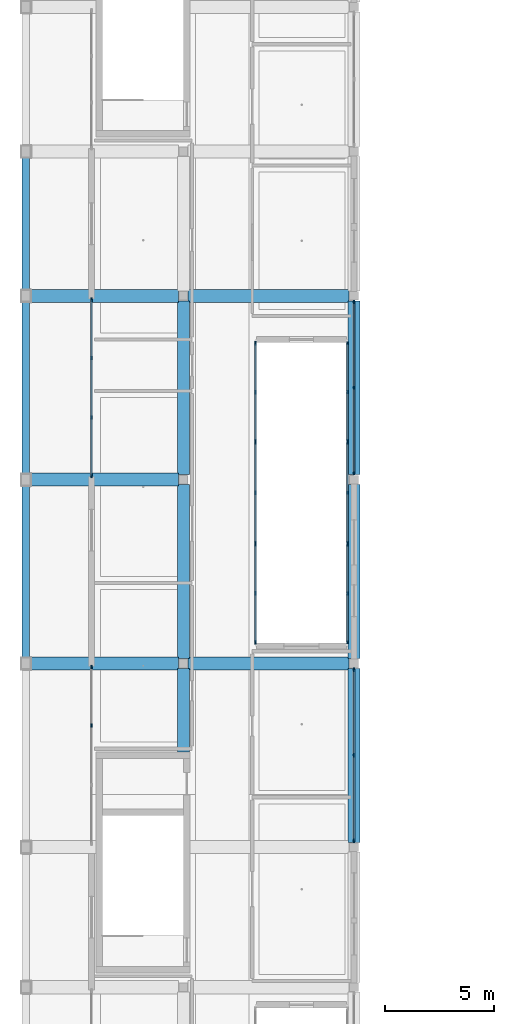
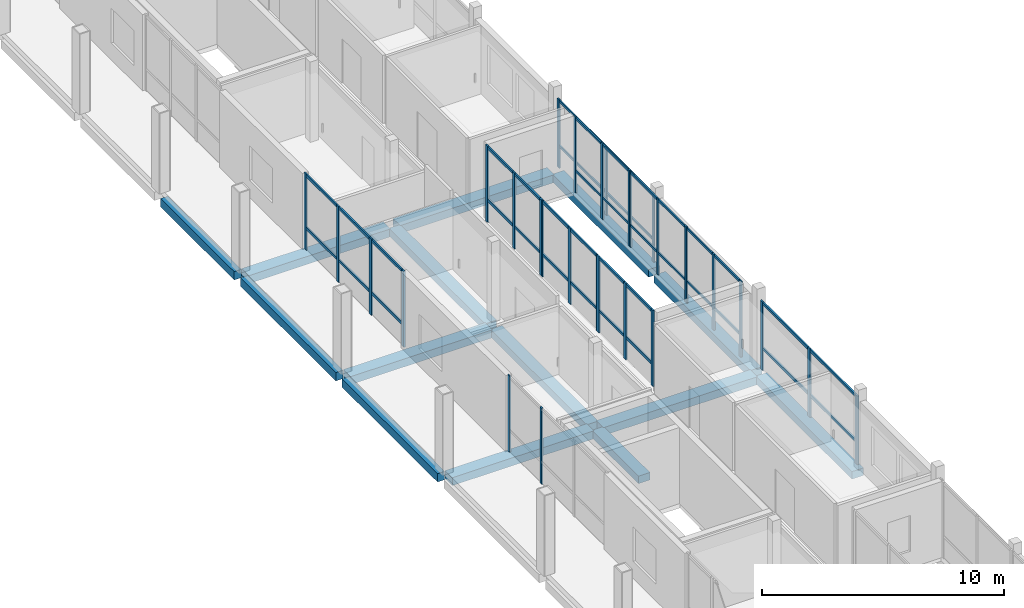
# One storey, part 4 of 24: 48 members, 14 beams, 10 elements without a shape of their own.
"""IFC4 building model written with IfcOpenShell, lengths in metres."""

from ifc_helpers import new_model, si_unit, derived_unit, direction, frame, origin, origin_2d, place, context, subcontext, project, spatial, rectangle, extrude, material, material_profile, profile_set, type_object, element, aggregate, save


model = new_model("IFC4")

# Units and contexts
model_context = context("Model", 3, precision=1e-05, world=origin(), true_north=direction((0.0, 1.0)))
body_context = subcontext(model_context, "Body", "Model", "MODEL_VIEW")
ifc_project = project(units=[si_unit("LENGTHUNIT", "METRE"), si_unit("AREAUNIT", "SQUARE_METRE"), si_unit("VOLUMEUNIT", "CUBIC_METRE"), si_unit("PLANEANGLEUNIT", "RADIAN"), si_unit("MASSUNIT", "GRAM", prefix="KILO"), derived_unit("THERMALTRANSMITTANCEUNIT", [(si_unit("POWERUNIT", "WATT"), 1), (si_unit("LENGTHUNIT", "METRE"), -2), (si_unit("THERMODYNAMICTEMPERATUREUNIT", "KELVIN"), -1)])], contexts=[model_context])

# Site, building, storey
site_placement = place(None, origin())
site = spatial("IfcSite", under=ifc_project, at=site_placement, CompositionType="ELEMENT")
building_placement = place(site_placement, origin())
building = spatial("IfcBuilding", under=site, at=building_placement, Name="Braskholm Square Health Centre", CompositionType="ELEMENT")
storey_placement = place(building_placement, frame((0.0, 0.0, 21.60009765625)))
storey = spatial("IfcBuildingStorey", under=building, at=storey_placement, Name="L06", CompositionType="ELEMENT", Elevation=21.60009765625)

# Curtain wall, members
ifc_material_1 = material(Name="Low-E triple insulating glass (VLT 0.64)", Category="glass")
curtain_wall_type_1 = type_object("IfcCurtainWallType", Name="UnitisedCurtainWall6200x3800", PredefinedType="NOTDEFINED", material=ifc_material_1)
curtain_wall_1_placement = place(storey_placement, origin())
curtain_wall_1 = element("IfcCurtainWall", 1, at=curtain_wall_1_placement, inside=storey, type_object=curtain_wall_type_1, Name="West Crown unitised curtain wall CW-L06-0042", PredefinedType="NOTDEFINED")
ifc_material_2 = material(Name="Architectural bronze anodised aluminium", Category="aluminium")
ifc_material_profile_1 = material_profile(ifc_material_2, rectangle(XDim=0.06494140625, YDim=0.14990234375, at=origin_2d()), Name="ALU-65X150")
ifc_profile_set_1 = profile_set([ifc_material_profile_1], Name="Architectural bronze anodised aluminium")
member_type_1 = type_object("IfcMemberType", Name="CurtainWallMullion65x150", PredefinedType="MULLION", material=ifc_profile_set_1)
member_1_placement = place(storey_placement, frame((7.199951171875, 63.631103515625, 0.0), z_axis=(0.0, 0.0, 1.0), x_axis=(1.0, 0.0, 0.0)))
member_1 = element("IfcMember", 2, at=member_1_placement, type_object=member_type_1, Name="CW-L06-0042 vertical mullion 1", PredefinedType="MULLION", context=body_context, shape_type="SweptSolid", body=[
    extrude(rectangle(XDim=0.06494140625, YDim=0.14990234375, at=origin_2d()), origin(), (0.0, 0.0, 1.0), 3.83984375),
])
member_2_placement = place(storey_placement, frame((7.199951171875, 60.9599609375, 0.0), z_axis=(0.0, 0.0, 1.0), x_axis=(1.0, 0.0, 0.0)))
member_2 = element("IfcMember", 3, at=member_2_placement, type_object=member_type_1, Name="CW-L06-0042 vertical mullion 2", PredefinedType="MULLION", context=body_context, shape_type="SweptSolid", body=[
    extrude(rectangle(XDim=0.06494140625, YDim=0.14990234375, at=origin_2d()), origin(), (0.0, 0.0, 1.0), 3.83984375),
])
aggregate(curtain_wall_1, [member_1, member_2])

curtain_wall_type_2 = type_object("IfcCurtainWallType", Name="UnitisedCurtainWall6200x3650", PredefinedType="NOTDEFINED", material=ifc_material_1)
curtain_wall_2_placement = place(storey_placement, origin())
curtain_wall_2 = element("IfcCurtainWall", 4, at=curtain_wall_2_placement, inside=storey, type_object=curtain_wall_type_2, Name="West Valley unitised curtain wall CW-L06-0114", PredefinedType="NOTDEFINED")
member_3_placement = place(storey_placement, frame((19.199951171875, 72.487548828125, 0.0), z_axis=(0.0, 0.0, 1.0), x_axis=(1.0, 0.0, 0.0)))
member_3 = element("IfcMember", 5, at=member_3_placement, type_object=member_type_1, Name="CW-L06-0114 vertical mullion 1", PredefinedType="MULLION", context=body_context, shape_type="SweptSolid", body=[
    extrude(rectangle(XDim=0.06494140625, YDim=0.14990234375, at=origin_2d()), origin(), (0.0, 0.0, 1.0), 3.4599609375),
])
member_4_placement = place(storey_placement, frame((19.199951171875, 76.39990234375, 0.0), z_axis=(0.0, 0.0, 1.0), x_axis=(1.0, 0.0, 0.0)))
member_4 = element("IfcMember", 6, at=member_4_placement, type_object=member_type_1, Name="CW-L06-0114 vertical mullion 2", PredefinedType="MULLION", context=body_context, shape_type="SweptSolid", body=[
    extrude(rectangle(XDim=0.06494140625, YDim=0.14990234375, at=origin_2d()), origin(), (0.0, 0.0, 1.0), 3.4599609375),
])
member_5_placement = place(storey_placement, frame((19.199951171875, 80.3125, 0.0), z_axis=(0.0, 0.0, 1.0), x_axis=(1.0, 0.0, 0.0)))
member_5 = element("IfcMember", 7, at=member_5_placement, type_object=member_type_1, Name="CW-L06-0114 vertical mullion 3", PredefinedType="MULLION", context=body_context, shape_type="SweptSolid", body=[
    extrude(rectangle(XDim=0.06494140625, YDim=0.14990234375, at=origin_2d()), origin(), (0.0, 0.0, 1.0), 3.4599609375),
])

curtain_wall_type_3 = type_object("IfcCurtainWallType", Name="UnitisedCurtainWall4800x3800", PredefinedType="NOTDEFINED", material=ifc_material_1)
curtain_wall_3_placement = place(storey_placement, origin())
curtain_wall_3 = element("IfcCurtainWall", 8, at=curtain_wall_3_placement, inside=storey, type_object=curtain_wall_type_3, Name="WC2 Court E unitised curtain wall CW-L06-0316", PredefinedType="NOTDEFINED")
member_6_placement = place(storey_placement, frame((18.89990234375, 69.23486328125, 0.0), z_axis=(0.0, 0.0, 1.0), x_axis=(1.0, 0.0, 0.0)))
member_6 = element("IfcMember", 9, at=member_6_placement, type_object=member_type_1, Name="CW-L06-0316 vertical mullion 1", PredefinedType="MULLION", context=body_context, shape_type="SweptSolid", body=[
    extrude(rectangle(XDim=0.06494140625, YDim=0.14990234375, at=origin_2d()), origin(), (0.0, 0.0, 1.0), 3.83984375),
])
member_7_placement = place(storey_placement, frame((18.89990234375, 67.0009765625, 0.0), z_axis=(0.0, 0.0, 1.0), x_axis=(1.0, 0.0, 0.0)))
member_7 = element("IfcMember", 10, at=member_7_placement, type_object=member_type_1, Name="CW-L06-0316 vertical mullion 2", PredefinedType="MULLION", context=body_context, shape_type="SweptSolid", body=[
    extrude(rectangle(XDim=0.06494140625, YDim=0.14990234375, at=origin_2d()), origin(), (0.0, 0.0, 1.0), 3.83984375),
])
member_8_placement = place(storey_placement, frame((18.89990234375, 64.76708984375, 0.0), z_axis=(0.0, 0.0, 1.0), x_axis=(1.0, 0.0, 0.0)))
member_8 = element("IfcMember", 11, at=member_8_placement, type_object=member_type_1, Name="CW-L06-0316 vertical mullion 3", PredefinedType="MULLION", context=body_context, shape_type="SweptSolid", body=[
    extrude(rectangle(XDim=0.06494140625, YDim=0.14990234375, at=origin_2d()), origin(), (0.0, 0.0, 1.0), 3.83984375),
])

curtain_wall_4_placement = place(storey_placement, origin())
curtain_wall_4 = element("IfcCurtainWall", 12, at=curtain_wall_4_placement, inside=storey, type_object=curtain_wall_type_3, Name="WC2 Court E unitised curtain wall CW-L06-0318", PredefinedType="NOTDEFINED")
member_9_placement = place(storey_placement, frame((18.89990234375, 73.900146484375, 0.0), z_axis=(0.0, 0.0, 1.0), x_axis=(1.0, 0.0, 0.0)))
member_9 = element("IfcMember", 13, at=member_9_placement, type_object=member_type_1, Name="CW-L06-0318 vertical mullion 1", PredefinedType="MULLION", context=body_context, shape_type="SweptSolid", body=[
    extrude(rectangle(XDim=0.06494140625, YDim=0.14990234375, at=origin_2d()), origin(), (0.0, 0.0, 1.0), 3.83984375),
])
member_10_placement = place(storey_placement, frame((18.89990234375, 71.60009765625, 0.0), z_axis=(0.0, 0.0, 1.0), x_axis=(1.0, 0.0, 0.0)))
member_10 = element("IfcMember", 14, at=member_10_placement, type_object=member_type_1, Name="CW-L06-0318 vertical mullion 2", PredefinedType="MULLION", context=body_context, shape_type="SweptSolid", body=[
    extrude(rectangle(XDim=0.06494140625, YDim=0.14990234375, at=origin_2d()), origin(), (0.0, 0.0, 1.0), 3.83984375),
])
member_11_placement = place(storey_placement, frame((18.89990234375, 69.2998046875, 0.0), z_axis=(0.0, 0.0, 1.0), x_axis=(1.0, 0.0, 0.0)))
member_11 = element("IfcMember", 15, at=member_11_placement, type_object=member_type_1, Name="CW-L06-0318 vertical mullion 3", PredefinedType="MULLION", context=body_context, shape_type="SweptSolid", body=[
    extrude(rectangle(XDim=0.06494140625, YDim=0.14990234375, at=origin_2d()), origin(), (0.0, 0.0, 1.0), 3.83984375),
])

curtain_wall_5_placement = place(storey_placement, origin())
curtain_wall_5 = element("IfcCurtainWall", 16, at=curtain_wall_5_placement, inside=storey, type_object=curtain_wall_type_3, Name="WC2 Court E unitised curtain wall CW-L06-0320", PredefinedType="NOTDEFINED")
member_12_placement = place(storey_placement, frame((18.89990234375, 78.432861328125, 0.0), z_axis=(0.0, 0.0, 1.0), x_axis=(1.0, 0.0, 0.0)))
member_12 = element("IfcMember", 17, at=member_12_placement, type_object=member_type_1, Name="CW-L06-0320 vertical mullion 1", PredefinedType="MULLION", context=body_context, shape_type="SweptSolid", body=[
    extrude(rectangle(XDim=0.06494140625, YDim=0.14990234375, at=origin_2d()), origin(), (0.0, 0.0, 1.0), 3.83984375),
])
member_13_placement = place(storey_placement, frame((18.89990234375, 76.198974609375, 0.0), z_axis=(0.0, 0.0, 1.0), x_axis=(1.0, 0.0, 0.0)))
member_13 = element("IfcMember", 18, at=member_13_placement, type_object=member_type_1, Name="CW-L06-0320 vertical mullion 2", PredefinedType="MULLION", context=body_context, shape_type="SweptSolid", body=[
    extrude(rectangle(XDim=0.06494140625, YDim=0.14990234375, at=origin_2d()), origin(), (0.0, 0.0, 1.0), 3.83984375),
])
member_14_placement = place(storey_placement, frame((18.89990234375, 73.965087890625, 0.0), z_axis=(0.0, 0.0, 1.0), x_axis=(1.0, 0.0, 0.0)))
member_14 = element("IfcMember", 19, at=member_14_placement, type_object=member_type_1, Name="CW-L06-0320 vertical mullion 3", PredefinedType="MULLION", context=body_context, shape_type="SweptSolid", body=[
    extrude(rectangle(XDim=0.06494140625, YDim=0.14990234375, at=origin_2d()), origin(), (0.0, 0.0, 1.0), 3.83984375),
])

curtain_wall_6_placement = place(storey_placement, origin())
curtain_wall_6 = element("IfcCurtainWall", 20, at=curtain_wall_6_placement, inside=storey, type_object=curtain_wall_type_1, Name="West Crown unitised curtain wall CW-L06-0043", PredefinedType="NOTDEFINED")
ifc_material_profile_2 = material_profile(ifc_material_2, rectangle(XDim=0.074951171875, YDim=0.179931640625, at=origin_2d()), Name="ALU-75X180")
ifc_profile_set_2 = profile_set([ifc_material_profile_2], Name="Architectural bronze anodised aluminium")
member_type_2 = type_object("IfcMemberType", Name="CurtainWallMullion75x180", PredefinedType="MULLION", material=ifc_profile_set_2)
member_15_placement = place(storey_placement, frame((7.199951171875, 80.430908203125, 0.0), z_axis=(0.0, 0.0, 1.0), x_axis=(1.0, 0.0, 0.0)))
member_15 = element("IfcMember", 21, at=member_15_placement, type_object=member_type_2, Name="CW-L06-0043 vertical mullion 1", PredefinedType="MULLION", context=body_context, shape_type="SweptSolid", body=[
    extrude(rectangle(XDim=0.074951171875, YDim=0.179931640625, at=origin_2d()), origin(), (0.0, 0.0, 1.0), 3.83984375),
])
member_16_placement = place(storey_placement, frame((7.199951171875, 77.760009765625, 0.0), z_axis=(0.0, 0.0, 1.0), x_axis=(1.0, 0.0, 0.0)))
member_16 = element("IfcMember", 22, at=member_16_placement, type_object=member_type_2, Name="CW-L06-0043 vertical mullion 2", PredefinedType="MULLION", context=body_context, shape_type="SweptSolid", body=[
    extrude(rectangle(XDim=0.074951171875, YDim=0.179931640625, at=origin_2d()), origin(), (0.0, 0.0, 1.0), 3.83984375),
])
member_17_placement = place(storey_placement, frame((7.199951171875, 75.0400390625, 0.0), z_axis=(0.0, 0.0, 1.0), x_axis=(1.0, 0.0, 0.0)))
member_17 = element("IfcMember", 23, at=member_17_placement, type_object=member_type_2, Name="CW-L06-0043 vertical mullion 3", PredefinedType="MULLION", context=body_context, shape_type="SweptSolid", body=[
    extrude(rectangle(XDim=0.074951171875, YDim=0.179931640625, at=origin_2d()), origin(), (0.0, 0.0, 1.0), 3.83984375),
])
member_18_placement = place(storey_placement, frame((7.199951171875, 72.368896484375, 0.0), z_axis=(0.0, 0.0, 1.0), x_axis=(1.0, 0.0, 0.0)))
member_18 = element("IfcMember", 24, at=member_18_placement, type_object=member_type_2, Name="CW-L06-0043 vertical mullion 4", PredefinedType="MULLION", context=body_context, shape_type="SweptSolid", body=[
    extrude(rectangle(XDim=0.074951171875, YDim=0.179931640625, at=origin_2d()), origin(), (0.0, 0.0, 1.0), 3.83984375),
])

curtain_wall_7_placement = place(storey_placement, origin())
curtain_wall_7 = element("IfcCurtainWall", 25, at=curtain_wall_7_placement, inside=storey, type_object=curtain_wall_type_2, Name="West Valley unitised curtain wall CW-L06-0113", PredefinedType="NOTDEFINED")
member_19_placement = place(storey_placement, frame((19.199951171875, 55.6875, 0.0), z_axis=(0.0, 0.0, 1.0), x_axis=(1.0, 0.0, 0.0)))
member_19 = element("IfcMember", 26, at=member_19_placement, type_object=member_type_2, Name="CW-L06-0113 vertical mullion 1", PredefinedType="MULLION", context=body_context, shape_type="SweptSolid", body=[
    extrude(rectangle(XDim=0.074951171875, YDim=0.179931640625, at=origin_2d()), origin(), (0.0, 0.0, 1.0), 3.4599609375),
])
member_20_placement = place(storey_placement, frame((19.199951171875, 59.60009765625, 0.0), z_axis=(0.0, 0.0, 1.0), x_axis=(1.0, 0.0, 0.0)))
member_20 = element("IfcMember", 27, at=member_20_placement, type_object=member_type_2, Name="CW-L06-0113 vertical mullion 2", PredefinedType="MULLION", context=body_context, shape_type="SweptSolid", body=[
    extrude(rectangle(XDim=0.074951171875, YDim=0.179931640625, at=origin_2d()), origin(), (0.0, 0.0, 1.0), 3.4599609375),
])
member_21_placement = place(storey_placement, frame((19.199951171875, 63.512451171875, 0.0), z_axis=(0.0, 0.0, 1.0), x_axis=(1.0, 0.0, 0.0)))
member_21 = element("IfcMember", 28, at=member_21_placement, type_object=member_type_2, Name="CW-L06-0113 vertical mullion 3", PredefinedType="MULLION", context=body_context, shape_type="SweptSolid", body=[
    extrude(rectangle(XDim=0.074951171875, YDim=0.179931640625, at=origin_2d()), origin(), (0.0, 0.0, 1.0), 3.4599609375),
])

curtain_wall_8_placement = place(storey_placement, origin())
curtain_wall_8 = element("IfcCurtainWall", 29, at=curtain_wall_8_placement, inside=storey, type_object=curtain_wall_type_3, Name="WC2 Court W unitised curtain wall CW-L06-0315", PredefinedType="NOTDEFINED")
member_22_placement = place(storey_placement, frame((14.699951171875, 64.76708984375, 0.0), z_axis=(0.0, 0.0, 1.0), x_axis=(1.0, 0.0, 0.0)))
member_22 = element("IfcMember", 30, at=member_22_placement, type_object=member_type_2, Name="CW-L06-0315 vertical mullion 1", PredefinedType="MULLION", context=body_context, shape_type="SweptSolid", body=[
    extrude(rectangle(XDim=0.074951171875, YDim=0.179931640625, at=origin_2d()), origin(), (0.0, 0.0, 1.0), 3.83984375),
])
member_23_placement = place(storey_placement, frame((14.699951171875, 67.0009765625, 0.0), z_axis=(0.0, 0.0, 1.0), x_axis=(1.0, 0.0, 0.0)))
member_23 = element("IfcMember", 31, at=member_23_placement, type_object=member_type_2, Name="CW-L06-0315 vertical mullion 2", PredefinedType="MULLION", context=body_context, shape_type="SweptSolid", body=[
    extrude(rectangle(XDim=0.074951171875, YDim=0.179931640625, at=origin_2d()), origin(), (0.0, 0.0, 1.0), 3.83984375),
])
member_24_placement = place(storey_placement, frame((14.699951171875, 69.23486328125, 0.0), z_axis=(0.0, 0.0, 1.0), x_axis=(1.0, 0.0, 0.0)))
member_24 = element("IfcMember", 32, at=member_24_placement, type_object=member_type_2, Name="CW-L06-0315 vertical mullion 3", PredefinedType="MULLION", context=body_context, shape_type="SweptSolid", body=[
    extrude(rectangle(XDim=0.074951171875, YDim=0.179931640625, at=origin_2d()), origin(), (0.0, 0.0, 1.0), 3.83984375),
])

curtain_wall_9_placement = place(storey_placement, origin())
curtain_wall_9 = element("IfcCurtainWall", 33, at=curtain_wall_9_placement, inside=storey, type_object=curtain_wall_type_3, Name="WC2 Court W unitised curtain wall CW-L06-0317", PredefinedType="NOTDEFINED")
member_25_placement = place(storey_placement, frame((14.699951171875, 69.2998046875, 0.0), z_axis=(0.0, 0.0, 1.0), x_axis=(1.0, 0.0, 0.0)))
member_25 = element("IfcMember", 34, at=member_25_placement, type_object=member_type_2, Name="CW-L06-0317 vertical mullion 1", PredefinedType="MULLION", context=body_context, shape_type="SweptSolid", body=[
    extrude(rectangle(XDim=0.074951171875, YDim=0.179931640625, at=origin_2d()), origin(), (0.0, 0.0, 1.0), 3.83984375),
])
member_26_placement = place(storey_placement, frame((14.699951171875, 71.60009765625, 0.0), z_axis=(0.0, 0.0, 1.0), x_axis=(1.0, 0.0, 0.0)))
member_26 = element("IfcMember", 35, at=member_26_placement, type_object=member_type_2, Name="CW-L06-0317 vertical mullion 2", PredefinedType="MULLION", context=body_context, shape_type="SweptSolid", body=[
    extrude(rectangle(XDim=0.074951171875, YDim=0.179931640625, at=origin_2d()), origin(), (0.0, 0.0, 1.0), 3.83984375),
])
member_27_placement = place(storey_placement, frame((14.699951171875, 73.900146484375, 0.0), z_axis=(0.0, 0.0, 1.0), x_axis=(1.0, 0.0, 0.0)))
member_27 = element("IfcMember", 36, at=member_27_placement, type_object=member_type_2, Name="CW-L06-0317 vertical mullion 3", PredefinedType="MULLION", context=body_context, shape_type="SweptSolid", body=[
    extrude(rectangle(XDim=0.074951171875, YDim=0.179931640625, at=origin_2d()), origin(), (0.0, 0.0, 1.0), 3.83984375),
])

curtain_wall_10_placement = place(storey_placement, origin())
curtain_wall_10 = element("IfcCurtainWall", 37, at=curtain_wall_10_placement, inside=storey, type_object=curtain_wall_type_3, Name="WC2 Court W unitised curtain wall CW-L06-0319", PredefinedType="NOTDEFINED")
member_28_placement = place(storey_placement, frame((14.699951171875, 73.965087890625, 0.0), z_axis=(0.0, 0.0, 1.0), x_axis=(1.0, 0.0, 0.0)))
member_28 = element("IfcMember", 38, at=member_28_placement, type_object=member_type_2, Name="CW-L06-0319 vertical mullion 1", PredefinedType="MULLION", context=body_context, shape_type="SweptSolid", body=[
    extrude(rectangle(XDim=0.074951171875, YDim=0.179931640625, at=origin_2d()), origin(), (0.0, 0.0, 1.0), 3.83984375),
])
member_29_placement = place(storey_placement, frame((14.699951171875, 76.198974609375, 0.0), z_axis=(0.0, 0.0, 1.0), x_axis=(1.0, 0.0, 0.0)))
member_29 = element("IfcMember", 39, at=member_29_placement, type_object=member_type_2, Name="CW-L06-0319 vertical mullion 2", PredefinedType="MULLION", context=body_context, shape_type="SweptSolid", body=[
    extrude(rectangle(XDim=0.074951171875, YDim=0.179931640625, at=origin_2d()), origin(), (0.0, 0.0, 1.0), 3.83984375),
])
member_30_placement = place(storey_placement, frame((14.699951171875, 78.432861328125, 0.0), z_axis=(0.0, 0.0, 1.0), x_axis=(1.0, 0.0, 0.0)))
member_30 = element("IfcMember", 40, at=member_30_placement, type_object=member_type_2, Name="CW-L06-0319 vertical mullion 3", PredefinedType="MULLION", context=body_context, shape_type="SweptSolid", body=[
    extrude(rectangle(XDim=0.074951171875, YDim=0.179931640625, at=origin_2d()), origin(), (0.0, 0.0, 1.0), 3.83984375),
])

# Member
ifc_material_profile_3 = material_profile(ifc_material_2, rectangle(XDim=0.06494140625, YDim=0.1201171875, at=origin_2d()), Name="ALU-65X120")
ifc_profile_set_3 = profile_set([ifc_material_profile_3], Name="Architectural bronze anodised aluminium")
member_type_3 = type_object("IfcMemberType", Name="CurtainWallTransom65x120", PredefinedType="USERDEFINED", material=ifc_profile_set_3)
member_31_placement = place(storey_placement, frame((19.199951171875, 72.485107421875, 1.119873046875), z_axis=(0.0, 1.0, 0.0), x_axis=(-1.0, 0.0, 0.0)))
member_31 = element("IfcMember", 41, at=member_31_placement, type_object=member_type_3, Name="CW-L06-0114 horizontal transom 1", ObjectType="TRANSOM", PredefinedType="USERDEFINED", context=body_context, shape_type="SweptSolid", body=[
    extrude(rectangle(XDim=0.06494140625, YDim=0.1201171875, at=origin_2d()), origin(), (0.0, 0.0, 1.0), 7.829833984375),
])

member_32_placement = place(storey_placement, frame((19.199951171875, 72.485107421875, 3.389892578125), z_axis=(0.0, 1.0, 0.0), x_axis=(-1.0, 0.0, 0.0)))
member_32 = element("IfcMember", 42, at=member_32_placement, type_object=member_type_3, Name="CW-L06-0114 horizontal transom 2", ObjectType="TRANSOM", PredefinedType="USERDEFINED", context=body_context, shape_type="SweptSolid", body=[
    extrude(rectangle(XDim=0.06494140625, YDim=0.1201171875, at=origin_2d()), origin(), (0.0, 0.0, 1.0), 7.829833984375),
])

aggregate(curtain_wall_2, [member_3, member_4, member_5, member_31, member_32])

member_33_placement = place(storey_placement, frame((18.89990234375, 69.217041015625, 1.119873046875), z_axis=(0.0, -1.0, 0.0), x_axis=(1.0, 0.0, 0.0)))
member_33 = element("IfcMember", 43, at=member_33_placement, type_object=member_type_3, Name="CW-L06-0316 horizontal transom 1", ObjectType="TRANSOM", PredefinedType="USERDEFINED", context=body_context, shape_type="SweptSolid", body=[
    extrude(rectangle(XDim=0.06494140625, YDim=0.1201171875, at=origin_2d()), origin(), (0.0, 0.0, 1.0), 4.43212890625),
])

member_34_placement = place(storey_placement, frame((18.89990234375, 69.217041015625, 3.77001953125), z_axis=(0.0, -1.0, 0.0), x_axis=(1.0, 0.0, 0.0)))
member_34 = element("IfcMember", 44, at=member_34_placement, type_object=member_type_3, Name="CW-L06-0316 horizontal transom 2", ObjectType="TRANSOM", PredefinedType="USERDEFINED", context=body_context, shape_type="SweptSolid", body=[
    extrude(rectangle(XDim=0.06494140625, YDim=0.1201171875, at=origin_2d()), origin(), (0.0, 0.0, 1.0), 4.43212890625),
])

aggregate(curtain_wall_3, [member_6, member_7, member_8, member_33, member_34])

member_35_placement = place(storey_placement, frame((18.89990234375, 73.883056640625, 1.119873046875), z_axis=(0.0, -1.0, 0.0), x_axis=(1.0, 0.0, 0.0)))
member_35 = element("IfcMember", 45, at=member_35_placement, type_object=member_type_3, Name="CW-L06-0318 horizontal transom 1", ObjectType="TRANSOM", PredefinedType="USERDEFINED", context=body_context, shape_type="SweptSolid", body=[
    extrude(rectangle(XDim=0.06494140625, YDim=0.1201171875, at=origin_2d()), origin(), (0.0, 0.0, 1.0), 4.566162109375),
])

member_36_placement = place(storey_placement, frame((18.89990234375, 73.883056640625, 3.77001953125), z_axis=(0.0, -1.0, 0.0), x_axis=(1.0, 0.0, 0.0)))
member_36 = element("IfcMember", 46, at=member_36_placement, type_object=member_type_3, Name="CW-L06-0318 horizontal transom 2", ObjectType="TRANSOM", PredefinedType="USERDEFINED", context=body_context, shape_type="SweptSolid", body=[
    extrude(rectangle(XDim=0.06494140625, YDim=0.1201171875, at=origin_2d()), origin(), (0.0, 0.0, 1.0), 4.566162109375),
])

aggregate(curtain_wall_4, [member_9, member_10, member_11, member_35, member_36])

member_37_placement = place(storey_placement, frame((18.89990234375, 78.4150390625, 1.119873046875), z_axis=(0.0, -1.0, 0.0), x_axis=(1.0, 0.0, 0.0)))
member_37 = element("IfcMember", 47, at=member_37_placement, type_object=member_type_3, Name="CW-L06-0320 horizontal transom 1", ObjectType="TRANSOM", PredefinedType="USERDEFINED", context=body_context, shape_type="SweptSolid", body=[
    extrude(rectangle(XDim=0.06494140625, YDim=0.1201171875, at=origin_2d()), origin(), (0.0, 0.0, 1.0), 4.43212890625),
])

member_38_placement = place(storey_placement, frame((18.89990234375, 78.4150390625, 3.77001953125), z_axis=(0.0, -1.0, 0.0), x_axis=(1.0, 0.0, 0.0)))
member_38 = element("IfcMember", 48, at=member_38_placement, type_object=member_type_3, Name="CW-L06-0320 horizontal transom 2", ObjectType="TRANSOM", PredefinedType="USERDEFINED", context=body_context, shape_type="SweptSolid", body=[
    extrude(rectangle(XDim=0.06494140625, YDim=0.1201171875, at=origin_2d()), origin(), (0.0, 0.0, 1.0), 4.43212890625),
])

aggregate(curtain_wall_5, [member_12, member_13, member_14, member_37, member_38])

ifc_material_profile_4 = material_profile(ifc_material_2, rectangle(XDim=0.074951171875, YDim=0.139892578125, at=origin_2d()), Name="ALU-75X140")
ifc_profile_set_4 = profile_set([ifc_material_profile_4], Name="Architectural bronze anodised aluminium")
member_type_4 = type_object("IfcMemberType", Name="CurtainWallTransom75x140", PredefinedType="USERDEFINED", material=ifc_profile_set_4)
member_39_placement = place(storey_placement, frame((7.199951171875, 80.43505859375, 1.119873046875), z_axis=(0.0, -1.0, 0.0), x_axis=(1.0, 0.0, 0.0)))
member_39 = element("IfcMember", 49, at=member_39_placement, type_object=member_type_4, Name="CW-L06-0043 horizontal transom 1", ObjectType="TRANSOM", PredefinedType="USERDEFINED", context=body_context, shape_type="SweptSolid", body=[
    extrude(rectangle(XDim=0.074951171875, YDim=0.139892578125, at=origin_2d()), origin(), (0.0, 0.0, 1.0), 8.070068359375),
])

member_40_placement = place(storey_placement, frame((7.199951171875, 80.43505859375, 3.77001953125), z_axis=(0.0, -1.0, 0.0), x_axis=(1.0, 0.0, 0.0)))
member_40 = element("IfcMember", 50, at=member_40_placement, type_object=member_type_4, Name="CW-L06-0043 horizontal transom 2", ObjectType="TRANSOM", PredefinedType="USERDEFINED", context=body_context, shape_type="SweptSolid", body=[
    extrude(rectangle(XDim=0.074951171875, YDim=0.139892578125, at=origin_2d()), origin(), (0.0, 0.0, 1.0), 8.070068359375),
])

aggregate(curtain_wall_6, [member_15, member_16, member_17, member_18, member_39, member_40])

member_41_placement = place(storey_placement, frame((19.199951171875, 55.68505859375, 1.119873046875), z_axis=(0.0, 1.0, 0.0), x_axis=(-1.0, 0.0, 0.0)))
member_41 = element("IfcMember", 51, at=member_41_placement, type_object=member_type_4, Name="CW-L06-0113 horizontal transom 1", ObjectType="TRANSOM", PredefinedType="USERDEFINED", context=body_context, shape_type="SweptSolid", body=[
    extrude(rectangle(XDim=0.074951171875, YDim=0.139892578125, at=origin_2d()), origin(), (0.0, 0.0, 1.0), 7.829833984375),
])

member_42_placement = place(storey_placement, frame((19.199951171875, 55.68505859375, 3.389892578125), z_axis=(0.0, 1.0, 0.0), x_axis=(-1.0, 0.0, 0.0)))
member_42 = element("IfcMember", 52, at=member_42_placement, type_object=member_type_4, Name="CW-L06-0113 horizontal transom 2", ObjectType="TRANSOM", PredefinedType="USERDEFINED", context=body_context, shape_type="SweptSolid", body=[
    extrude(rectangle(XDim=0.074951171875, YDim=0.139892578125, at=origin_2d()), origin(), (0.0, 0.0, 1.0), 7.829833984375),
])

aggregate(curtain_wall_7, [member_19, member_20, member_21, member_41, member_42])

member_43_placement = place(storey_placement, frame((14.699951171875, 64.784912109375, 1.119873046875), z_axis=(0.0, 1.0, 0.0), x_axis=(-1.0, 0.0, 0.0)))
member_43 = element("IfcMember", 53, at=member_43_placement, type_object=member_type_4, Name="CW-L06-0315 horizontal transom 1", ObjectType="TRANSOM", PredefinedType="USERDEFINED", context=body_context, shape_type="SweptSolid", body=[
    extrude(rectangle(XDim=0.074951171875, YDim=0.139892578125, at=origin_2d()), origin(), (0.0, 0.0, 1.0), 4.43212890625),
])

member_44_placement = place(storey_placement, frame((14.699951171875, 64.784912109375, 3.77001953125), z_axis=(0.0, 1.0, 0.0), x_axis=(-1.0, 0.0, 0.0)))
member_44 = element("IfcMember", 54, at=member_44_placement, type_object=member_type_4, Name="CW-L06-0315 horizontal transom 2", ObjectType="TRANSOM", PredefinedType="USERDEFINED", context=body_context, shape_type="SweptSolid", body=[
    extrude(rectangle(XDim=0.074951171875, YDim=0.139892578125, at=origin_2d()), origin(), (0.0, 0.0, 1.0), 4.43212890625),
])

aggregate(curtain_wall_8, [member_22, member_23, member_24, member_43, member_44])

member_45_placement = place(storey_placement, frame((14.699951171875, 69.31689453125, 1.119873046875), z_axis=(0.0, 1.0, 0.0), x_axis=(-1.0, 0.0, 0.0)))
member_45 = element("IfcMember", 55, at=member_45_placement, type_object=member_type_4, Name="CW-L06-0317 horizontal transom 1", ObjectType="TRANSOM", PredefinedType="USERDEFINED", context=body_context, shape_type="SweptSolid", body=[
    extrude(rectangle(XDim=0.074951171875, YDim=0.139892578125, at=origin_2d()), origin(), (0.0, 0.0, 1.0), 4.566162109375),
])

member_46_placement = place(storey_placement, frame((14.699951171875, 69.31689453125, 3.77001953125), z_axis=(0.0, 1.0, 0.0), x_axis=(-1.0, 0.0, 0.0)))
member_46 = element("IfcMember", 56, at=member_46_placement, type_object=member_type_4, Name="CW-L06-0317 horizontal transom 2", ObjectType="TRANSOM", PredefinedType="USERDEFINED", context=body_context, shape_type="SweptSolid", body=[
    extrude(rectangle(XDim=0.074951171875, YDim=0.139892578125, at=origin_2d()), origin(), (0.0, 0.0, 1.0), 4.566162109375),
])

aggregate(curtain_wall_9, [member_25, member_26, member_27, member_45, member_46])

member_47_placement = place(storey_placement, frame((14.699951171875, 73.98291015625, 1.119873046875), z_axis=(0.0, 1.0, 0.0), x_axis=(-1.0, 0.0, 0.0)))
member_47 = element("IfcMember", 57, at=member_47_placement, type_object=member_type_4, Name="CW-L06-0319 horizontal transom 1", ObjectType="TRANSOM", PredefinedType="USERDEFINED", context=body_context, shape_type="SweptSolid", body=[
    extrude(rectangle(XDim=0.074951171875, YDim=0.139892578125, at=origin_2d()), origin(), (0.0, 0.0, 1.0), 4.43212890625),
])

member_48_placement = place(storey_placement, frame((14.699951171875, 73.98291015625, 3.77001953125), z_axis=(0.0, 1.0, 0.0), x_axis=(-1.0, 0.0, 0.0)))
member_48 = element("IfcMember", 58, at=member_48_placement, type_object=member_type_4, Name="CW-L06-0319 horizontal transom 2", ObjectType="TRANSOM", PredefinedType="USERDEFINED", context=body_context, shape_type="SweptSolid", body=[
    extrude(rectangle(XDim=0.074951171875, YDim=0.139892578125, at=origin_2d()), origin(), (0.0, 0.0, 1.0), 4.43212890625),
])

aggregate(curtain_wall_10, [member_28, member_29, member_30, member_47, member_48])

# Beams
ifc_material_3 = material(Name="Concrete C35/45 (f'c = 35 MPa)", Category="concrete")
ifc_material_profile_5 = material_profile(ifc_material_3, rectangle(XDim=0.550048828125, YDim=0.3798828125, at=origin_2d()), Name="RCB-550X380")
ifc_profile_set_5 = profile_set([ifc_material_profile_5], Name="Concrete C35/45 (f'c = 35 MPa)")
beam_type_1 = type_object("IfcBeamType", Name="PrimaryBandBeam550x380", PredefinedType="BEAM", material=ifc_profile_set_5)
beam_1_placement = place(storey_placement, frame((11.39990234375, 59.75, -0.47021484375), z_axis=(0.0, 1.0, 0.0), x_axis=(-1.0, 0.0, 0.0)))
element("IfcBeam", 59, at=beam_1_placement, inside=storey, type_object=beam_type_1, Name="Beam 2/H-K L06", PredefinedType="BEAM", context=body_context, shape_type="SweptSolid", body=[
    extrude(rectangle(XDim=0.550048828125, YDim=0.3798828125, at=origin_2d()), origin(), (0.0, 0.0, 1.0), 3.824951171875),
])
beam_2_placement = place(storey_placement, frame((11.39990234375, 64.02490234375, -0.47021484375), z_axis=(0.0, 1.0, 0.0), x_axis=(-1.0, 0.0, 0.0)))
element("IfcBeam", 60, at=beam_2_placement, inside=storey, type_object=beam_type_1, Name="Beam 2/K-L L06", PredefinedType="BEAM", context=body_context, shape_type="SweptSolid", body=[
    extrude(rectangle(XDim=0.550048828125, YDim=0.3798828125, at=origin_2d()), origin(), (0.0, 0.0, 1.0), 7.9501953125),
])
for number, where, z_axis, x_axis, name in (
    (61, (11.39990234375, 72.425048828125, -0.47021484375), (0.0, 1.0, 0.0), (-1.0, 0.0, 0.0), "Beam 2/L-M L06"),
    (62, (19.199951171875, 55.625, -0.47021484375), (0.0, 1.0, 0.0), (-1.0, 0.0, 0.0), "Beam 3/J-K L06"),
):
    element("IfcBeam", number, at=place(storey_placement, frame(where, z_axis=z_axis, x_axis=x_axis)), inside=storey, type_object=beam_type_1, Name=name, PredefinedType="BEAM", context=body_context, shape_type="SweptSolid", body=[
        extrude(rectangle(XDim=0.550048828125, YDim=0.3798828125, at=origin_2d()), origin(), (0.0, 0.0, 1.0), 7.949951171875),
    ])
beam_3_placement = place(storey_placement, frame((19.199951171875, 64.02490234375, -0.47021484375), z_axis=(0.0, 1.0, 0.0), x_axis=(-1.0, 0.0, 0.0)))
element("IfcBeam", 63, at=beam_3_placement, inside=storey, type_object=beam_type_1, Name="Beam 3/K-L L06", PredefinedType="BEAM", context=body_context, shape_type="SweptSolid", body=[
    extrude(rectangle(XDim=0.550048828125, YDim=0.3798828125, at=origin_2d()), origin(), (0.0, 0.0, 1.0), 7.9501953125),
])
beam_4_placement = place(storey_placement, frame((19.199951171875, 72.425048828125, -0.47021484375), z_axis=(0.0, 1.0, 0.0), x_axis=(-1.0, 0.0, 0.0)))
element("IfcBeam", 64, at=beam_4_placement, inside=storey, type_object=beam_type_1, Name="Beam 3/L-M L06", PredefinedType="BEAM", context=body_context, shape_type="SweptSolid", body=[
    extrude(rectangle(XDim=0.550048828125, YDim=0.3798828125, at=origin_2d()), origin(), (0.0, 0.0, 1.0), 7.949951171875),
])
ifc_material_profile_6 = material_profile(ifc_material_3, rectangle(XDim=0.60009765625, YDim=0.39990234375, at=origin_2d()), Name="RCB-600X400")
ifc_profile_set_6 = profile_set([ifc_material_profile_6], Name="Concrete C35/45 (f'c = 35 MPa)")
beam_type_2 = type_object("IfcBeamType", Name="PrimaryBandBeam600x400", PredefinedType="BEAM", material=ifc_profile_set_6)
beam_5_placement = place(storey_placement, frame((4.409912109375, 63.800048828125, -0.47998046875), z_axis=(1.0, 0.0, 0.0), x_axis=(0.0, 1.0, 0.0)))
element("IfcBeam", 65, at=beam_5_placement, inside=storey, type_object=beam_type_2, Name="Beam 1-2/K L06", PredefinedType="BEAM", context=body_context, shape_type="SweptSolid", body=[
    extrude(rectangle(XDim=0.60009765625, YDim=0.39990234375, at=origin_2d()), origin(), (0.0, 0.0, 1.0), 6.76513671875),
])
beam_6_placement = place(storey_placement, frame((11.625, 63.800048828125, -0.47998046875), z_axis=(1.0, 0.0, 0.0), x_axis=(0.0, 1.0, 0.0)))
element("IfcBeam", 66, at=beam_6_placement, inside=storey, type_object=beam_type_2, Name="Beam 2-3/K L06", PredefinedType="BEAM", context=body_context, shape_type="SweptSolid", body=[
    extrude(rectangle(XDim=0.60009765625, YDim=0.39990234375, at=origin_2d()), origin(), (0.0, 0.0, 1.0), 7.35009765625),
])
for number, where, z_axis, x_axis, name in (
    (67, (4.409912109375, 72.199951171875, -0.47998046875), (1.0, 0.0, 0.0), (0.0, 1.0, 0.0), "Beam 1-2/L L06"),
    (68, (4.409912109375, 80.60009765625, -0.47998046875), (1.0, 0.0, 0.0), (0.0, 1.0, 0.0), "Beam 1-2/M L06"),
):
    element("IfcBeam", number, at=place(storey_placement, frame(where, z_axis=z_axis, x_axis=x_axis)), inside=storey, type_object=beam_type_2, Name=name, PredefinedType="BEAM", context=body_context, shape_type="SweptSolid", body=[
        extrude(rectangle(XDim=0.60009765625, YDim=0.39990234375, at=origin_2d()), origin(), (0.0, 0.0, 1.0), 6.76513671875),
    ])
beam_7_placement = place(storey_placement, frame((11.625, 80.60009765625, -0.47998046875), z_axis=(1.0, 0.0, 0.0), x_axis=(0.0, 1.0, 0.0)))
element("IfcBeam", 69, at=beam_7_placement, inside=storey, type_object=beam_type_2, Name="Beam 2-3/M L06", PredefinedType="BEAM", context=body_context, shape_type="SweptSolid", body=[
    extrude(rectangle(XDim=0.60009765625, YDim=0.39990234375, at=origin_2d()), origin(), (0.0, 0.0, 1.0), 7.35009765625),
])
ifc_material_4 = material(Name="Precast concrete C40/50 architectural white", Category="concrete")
ifc_material_profile_7 = material_profile(ifc_material_4, rectangle(XDim=0.340087890625, YDim=0.419921875, at=origin_2d()), Name="RCB-340X420")
ifc_profile_set_7 = profile_set([ifc_material_profile_7], Name="Precast concrete C40/50 architectural white")
beam_type_3 = type_object("IfcBeamType", Name="SpandrelCrownEdge340x420", PredefinedType="SPANDREL", material=ifc_profile_set_7)
beam_8_placement = place(storey_placement, frame((4.199951171875, 64.06005859375, -0.489990234375), z_axis=(0.0, 1.0, 0.0), x_axis=(-1.0, 0.0, 0.0)))
element("IfcBeam", 70, at=beam_8_placement, inside=storey, type_object=beam_type_3, Name="Beam 1/K-L L06", PredefinedType="SPANDREL", context=body_context, shape_type="SweptSolid", body=[
    extrude(rectangle(XDim=0.340087890625, YDim=0.419921875, at=origin_2d()), origin(), (0.0, 0.0, 1.0), 7.8798828125),
])
beam_9_placement = place(storey_placement, frame((4.199951171875, 72.4599609375, -0.489990234375), z_axis=(0.0, 1.0, 0.0), x_axis=(-1.0, 0.0, 0.0)))
element("IfcBeam", 71, at=beam_9_placement, inside=storey, type_object=beam_type_3, Name="Beam 1/L-M L06", PredefinedType="SPANDREL", context=body_context, shape_type="SweptSolid", body=[
    extrude(rectangle(XDim=0.340087890625, YDim=0.419921875, at=origin_2d()), origin(), (0.0, 0.0, 1.0), 7.880126953125),
])
beam_10_placement = place(storey_placement, frame((4.199951171875, 80.860107421875, -0.489990234375), z_axis=(0.0, 1.0, 0.0), x_axis=(-1.0, 0.0, 0.0)))
element("IfcBeam", 72, at=beam_10_placement, inside=storey, type_object=beam_type_3, Name="Beam 1/M-N L06", PredefinedType="SPANDREL", context=body_context, shape_type="SweptSolid", body=[
    extrude(rectangle(XDim=0.340087890625, YDim=0.419921875, at=origin_2d()), origin(), (0.0, 0.0, 1.0), 6.079833984375),
])

save(model, "model.ifc")
